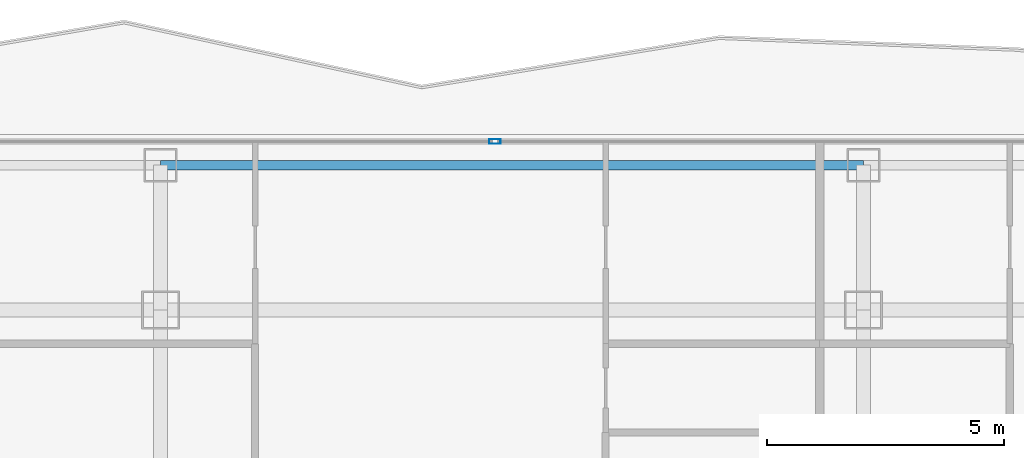
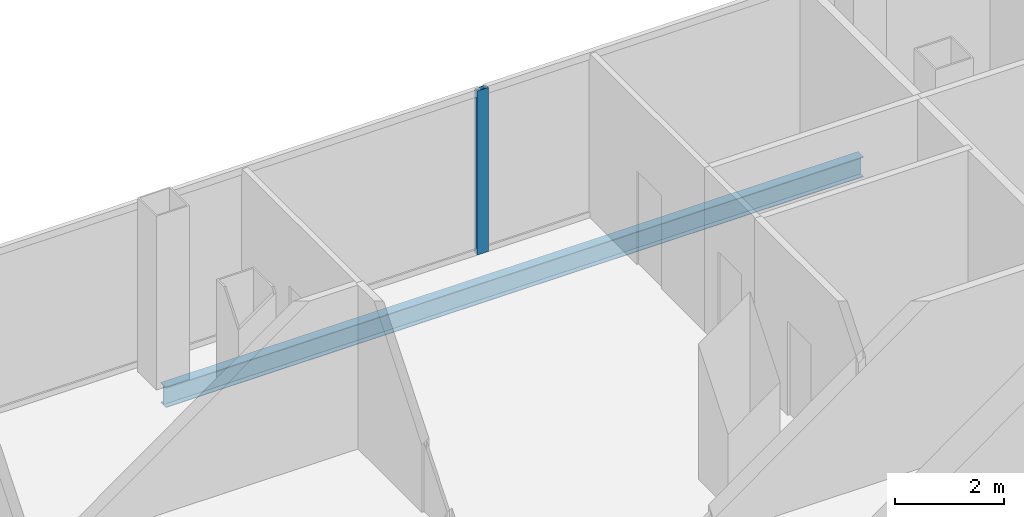
# One storey, part 14 of 26: 1 beam, 1 member, 1 element without a shape of its own.
"""IFC4 building model written with IfcOpenShell, lengths in metres."""

from ifc_helpers import new_model, si_unit, direction, frame, origin, origin_2d, place, context, subcontext, project, spatial, hollow_rectangle, i_section, extrude, material, layer, layer_set, material_profile, profile_set, type_object, element, aggregate, save


model = new_model("IFC4")

# Units and contexts
model_context = context("Model", 3, precision=1e-05, world=origin(), true_north=direction((0.0, 1.0)))
body_context = subcontext(model_context, "Body", "Model", "MODEL_VIEW")
ifc_project = project(units=[si_unit("LENGTHUNIT", "METRE"), si_unit("AREAUNIT", "SQUARE_METRE"), si_unit("VOLUMEUNIT", "CUBIC_METRE"), si_unit("PLANEANGLEUNIT", "RADIAN"), si_unit("MASSUNIT", "GRAM", prefix="KILO")], contexts=[model_context])

# Site, building, storey
site_placement = place(None, origin())
site = spatial("IfcSite", under=ifc_project, at=site_placement, CompositionType="ELEMENT")
building_placement = place(site_placement, origin())
building = spatial("IfcBuilding", under=site, at=building_placement, Name="Khorvyn Point Tower", CompositionType="ELEMENT")
storey_placement = place(building_placement, frame((0.0, 0.0, 183.60009765625)))
storey = spatial("IfcBuildingStorey", under=building, at=storey_placement, Name="L45", CompositionType="ELEMENT", Elevation=183.60009765625)

# Curtain wall, member
ifc_material_1 = material(Name="Anodised aluminium 6063-T6 and laminated Low-E glass", Category="aluminium")
ifc_layer = layer(ifc_material_1, 0.18994140625)
ifc_layer_set = layer_set([ifc_layer], Name="Stick-Built Acoustic Curtain Wall CW-SYS-03")
curtain_wall_type = type_object("IfcCurtainWallType", Name="Stick-Built Acoustic Curtain Wall CW-SYS-03", PredefinedType="NOTDEFINED", material=ifc_layer_set)
curtain_wall_placement = place(storey_placement, origin())
curtain_wall = element("IfcCurtainWall", 1, at=curtain_wall_placement, inside=storey, type_object=curtain_wall_type, Name="Curtain Wall", PredefinedType="NOTDEFINED")
ifc_material_2 = material(Name="Anodised aluminium 6063-T6", Category="aluminium")
ifc_material_profile_1 = material_profile(ifc_material_2, hollow_rectangle(XDim=0.10009765625, YDim=0.239990234375, WallThickness=0.0048828125, at=origin_2d()))
ifc_profile_set_1 = profile_set([ifc_material_profile_1], Name="Anodised aluminium 6063-T6 ALU-MUL-100x240")
member_type = type_object("IfcMemberType", Name="Anodised Aluminium 6063-T6 Mullion ALU-MUL-100x240", PredefinedType="MULLION", material=ifc_profile_set_1)
member_placement = place(storey_placement, frame((-0.35888671875, 23.64990234375, 0.0), z_axis=(0.0, 0.0, 1.0), x_axis=(0.0, 1.0, 0.0)))
member = element("IfcMember", 2, at=member_placement, type_object=member_type, Name="Transom", PredefinedType="MULLION", context=body_context, shape_type="SweptSolid", body=[
    extrude(hollow_rectangle(XDim=0.10009765625, YDim=0.239990234375, WallThickness=0.0048828125, at=origin_2d()), origin(), (0.0, 0.0, 1.0), 3.679931640625),
])
aggregate(curtain_wall, [member])

# Beam
ifc_material_3 = material(Name="Steel S355", Category="steel")
ifc_material_profile_2 = material_profile(ifc_material_3, i_section(OverallWidth=0.199951171875, OverallDepth=0.449951171875, WebThickness=0.009033203125, FlangeThickness=0.013916015625, at=origin_2d()))
ifc_profile_set_2 = profile_set([ifc_material_profile_2], Name="Steel S355 H450x200x9x14")
beam_type = type_object("IfcBeamType", Name="Steel S355 Spandrel H450x200x9x14", PredefinedType="SPANDREL", material=ifc_profile_set_2)
beam_placement = place(storey_placement, frame((-7.39990234375, 23.14990234375, -0.445068359375), z_axis=(1.0, 0.0, 0.0), x_axis=(0.0, 1.0, 0.0)))
element("IfcBeam", 3, at=beam_placement, inside=storey, type_object=beam_type, Name="Beam", PredefinedType="SPANDREL", context=body_context, shape_type="SweptSolid", body=[
    extrude(i_section(OverallWidth=0.199951171875, OverallDepth=0.449951171875, WebThickness=0.009033203125, FlangeThickness=0.013916015625, at=origin_2d()), origin(), (0.0, 0.0, 1.0), 14.7998046875),
])

save(model, "model.ifc")
